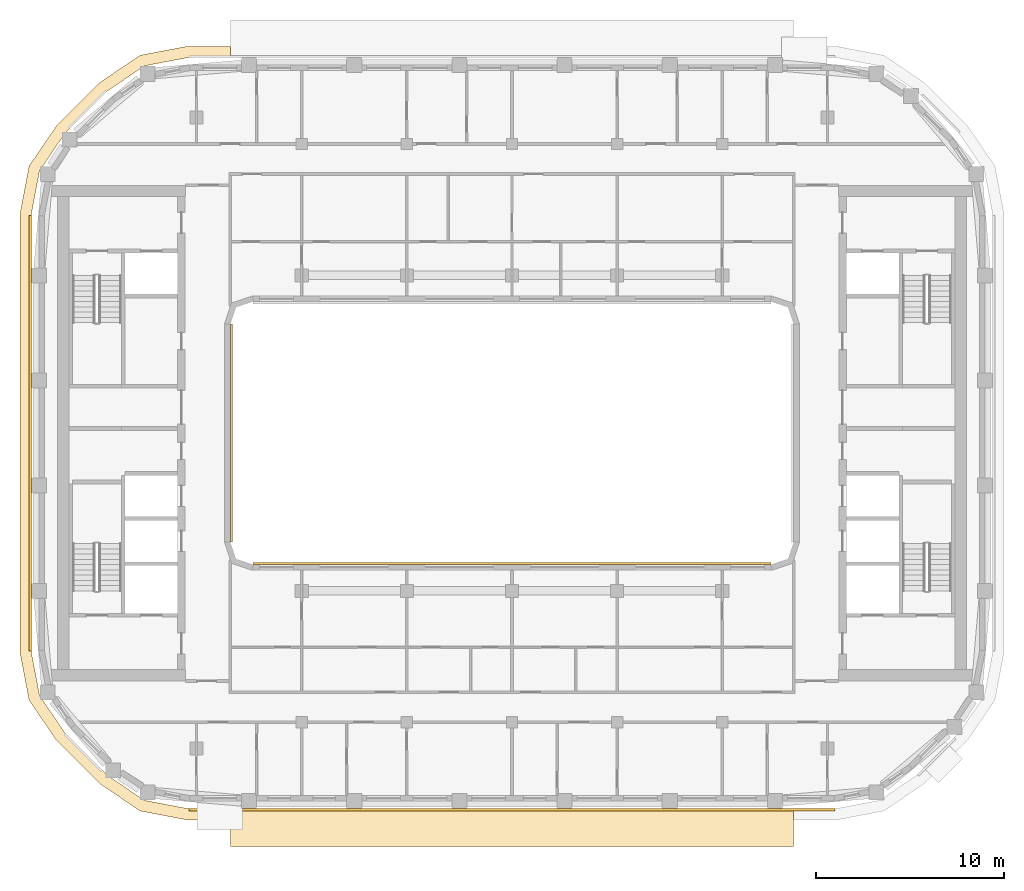
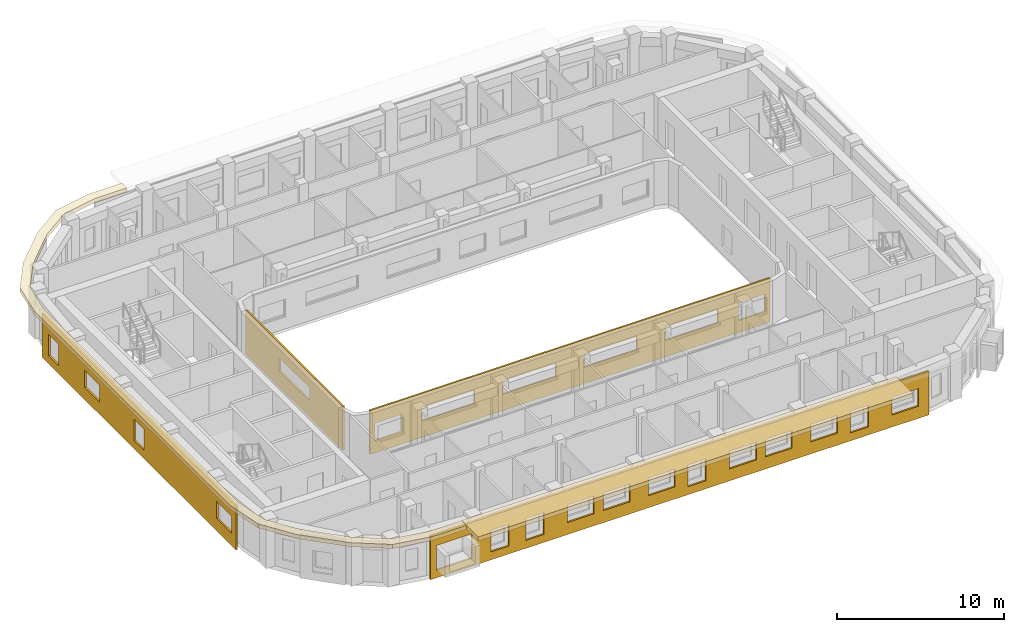
# One storey, part 11 of 16: 6 coverings.
"""IFC4 building model written with IfcOpenShell, lengths in metres."""

from ifc_helpers import new_model, si_unit, direction, frame, origin, place, context, subcontext, project, spatial, polyline, outline, extrude, material, layer, layer_set, type_object, element, save


model = new_model("IFC4")

# Units and contexts
model_context = context("Model", 3, precision=1e-05, world=origin(), true_north=direction((0.0, 1.0)))
body_context = subcontext(model_context, "Body", "Model", "MODEL_VIEW")
ifc_project = project(units=[si_unit("LENGTHUNIT", "METRE"), si_unit("AREAUNIT", "SQUARE_METRE"), si_unit("VOLUMEUNIT", "CUBIC_METRE"), si_unit("PLANEANGLEUNIT", "RADIAN"), si_unit("MASSUNIT", "GRAM", prefix="KILO")], contexts=[model_context])

# Site, building, storey
site_placement = place(None, origin())
site = spatial("IfcSite", under=ifc_project, at=site_placement, CompositionType="ELEMENT")
building_placement = place(site_placement, origin())
building = spatial("IfcBuilding", under=site, at=building_placement, Name="Kiln Ring Residences", CompositionType="ELEMENT")
storey_placement = place(building_placement, frame((0.0, 0.0, 255.699951171875)))
storey = spatial("IfcBuildingStorey", under=building, at=storey_placement, Name="L66", CompositionType="ELEMENT", Elevation=255.699951171875)

# Coverings
ifc_material_1 = material(Name="Brick masonry, dark clay brick", Category="masonry")
ifc_layer_1 = layer(ifc_material_1, 0.1201171875)
ifc_layer_set_1 = layer_set([ifc_layer_1], Name="RAINSCREEN PANEL 120")
covering_type_1 = type_object("IfcCoveringType", Name="RAINSCREEN PANEL 120", PredefinedType="CLADDING", material=ifc_layer_set_1)
covering_1_placement = place(storey_placement, frame((-17.199951171875, -20.06005859375, 0.0), z_axis=(0.0, 0.0, 1.0), x_axis=(1.0, 0.0, 0.0)))
element("IfcCovering", 1, at=covering_1_placement, inside=storey, type_object=covering_type_1, Name="RAINSCREEN L66", PredefinedType="CLADDING", context=body_context, shape_type="SweptSolid", body=[
    extrude(outline(polyline([(0.0, 0.0), (34.39990234375, 0.0), (34.39990234375, 3.199951171875), (0.0, 3.199951171875), (0.0, 0.0)]), holes=[polyline([(4.179931640625, 0.580078125), (5.419921875, 0.580078125), (5.419921875, 2.170166015625), (4.179931640625, 2.170166015625), (4.179931640625, 0.580078125)]), polyline([(6.580078125, 2.170166015625), (6.580078125, 0.580078125), (7.820068359375, 0.580078125), (7.820068359375, 2.170166015625), (6.580078125, 2.170166015625)]), polyline([(0.41748046875, 2.3701171875), (0.41748046875, 0.580078125), (2.857421875, 0.580078125), (2.857421875, 2.3701171875), (0.41748046875, 2.3701171875)]), polyline([(9.4423828125, 0.880126953125), (11.282470703125, 0.880126953125), (11.282470703125, 2.170166015625), (9.4423828125, 2.170166015625), (9.4423828125, 0.880126953125)]), polyline([(11.91748046875, 2.170166015625), (11.91748046875, 0.880126953125), (13.757568359375, 0.880126953125), (13.757568359375, 2.170166015625), (11.91748046875, 2.170166015625)]), polyline([(15.04248046875, 2.170166015625), (15.04248046875, 0.880126953125), (16.882568359375, 0.880126953125), (16.882568359375, 2.170166015625), (15.04248046875, 2.170166015625)]), polyline([(17.780029296875, 0.580078125), (19.02001953125, 0.580078125), (19.02001953125, 2.170166015625), (17.780029296875, 2.170166015625), (17.780029296875, 0.580078125)]), polyline([(28.97998046875, 2.170166015625), (28.97998046875, 0.580078125), (30.219970703125, 0.580078125), (30.219970703125, 2.170166015625), (28.97998046875, 2.170166015625)]), polyline([(20.642578125, 2.170166015625), (20.642578125, 0.880126953125), (22.482421875, 0.880126953125), (22.482421875, 2.170166015625), (20.642578125, 2.170166015625)]), polyline([(23.117431640625, 0.880126953125), (24.95751953125, 0.880126953125), (24.95751953125, 2.170166015625), (23.117431640625, 2.170166015625), (23.117431640625, 0.880126953125)]), polyline([(26.242431640625, 2.170166015625), (26.242431640625, 0.880126953125), (28.08251953125, 0.880126953125), (28.08251953125, 2.170166015625), (26.242431640625, 2.170166015625)]), polyline([(31.842529296875, 2.170166015625), (31.842529296875, 0.880126953125), (33.6826171875, 0.880126953125), (33.6826171875, 2.170166015625), (31.842529296875, 2.170166015625)])]), frame((0.0, 0.06005859375, 0.0), z_axis=(0.0, -1.0, 0.0), x_axis=(1.0, 0.0, 0.0)), (0.0, 0.0, 1.0), 0.1201171875),
])
covering_2_placement = place(storey_placement, frame((-25.659912109375, 11.60009765625, 0.0), z_axis=(0.0, 0.0, 1.0), x_axis=(0.0, -1.0, 0.0)))
element("IfcCovering", 2, at=covering_2_placement, inside=storey, type_object=covering_type_1, Name="RAINSCREEN L66", PredefinedType="CLADDING", context=body_context, shape_type="SweptSolid", body=[
    extrude(outline(polyline([(0.0, 0.0), (23.199951171875, 0.0), (23.199951171875, 3.199951171875), (0.0, 3.199951171875), (0.0, 0.0)]), holes=[polyline([(2.0, 0.60009765625), (2.0, 2.150146484375), (0.800048828125, 2.150146484375), (0.800048828125, 0.60009765625), (2.0, 0.60009765625)]), polyline([(12.199951171875, 0.60009765625), (12.199951171875, 2.150146484375), (11.0, 2.150146484375), (11.0, 0.60009765625), (12.199951171875, 0.60009765625)]), polyline([(6.89990234375, 0.900146484375), (6.89990234375, 2.150146484375), (5.10009765625, 2.150146484375), (5.10009765625, 0.900146484375), (6.89990234375, 0.900146484375)]), polyline([(22.699951171875, 0.900146484375), (22.699951171875, 2.150146484375), (20.89990234375, 2.150146484375), (20.89990234375, 0.900146484375), (22.699951171875, 0.900146484375)])]), frame((0.0, 0.06005859375, 0.0), z_axis=(0.0, -1.0, 0.0), x_axis=(1.0, 0.0, 0.0)), (0.0, 0.0, 1.0), 0.1201171875),
])
covering_3_placement = place(storey_placement, frame((-14.93994140625, -5.800048828125, 0.0), z_axis=(0.0, 0.0, 1.0), x_axis=(0.0, 1.0, 0.0)))
element("IfcCovering", 3, at=covering_3_placement, inside=storey, type_object=covering_type_1, Name="RAINSCREEN L66", PredefinedType="CLADDING", context=body_context, shape_type="SweptSolid", body=[
    extrude(outline(polyline([(0.0, 0.0), (11.60009765625, 0.0), (11.60009765625, 3.199951171875), (0.0, 3.199951171875), (0.0, 0.0)]), holes=[polyline([(4.0, 2.150146484375), (4.0, 1.199951171875), (7.60009765625, 1.199951171875), (7.60009765625, 2.150146484375), (4.0, 2.150146484375)])]), frame((0.0, 0.06005859375, 0.0), z_axis=(0.0, -1.0, 0.0), x_axis=(1.0, 0.0, 0.0)), (0.0, 0.0, 1.0), 0.1201171875),
])
covering_4_placement = place(storey_placement, frame((13.800048828125, -6.93994140625, 0.0), z_axis=(0.0, 0.0, 1.0), x_axis=(-1.0, 0.0, 0.0)))
element("IfcCovering", 4, at=covering_4_placement, inside=storey, type_object=covering_type_1, Name="RAINSCREEN L66", PredefinedType="CLADDING", context=body_context, shape_type="SweptSolid", body=[
    extrude(outline(polyline([(0.0, 0.0), (27.60009765625, 0.0), (27.60009765625, 3.199951171875), (0.0, 3.199951171875), (0.0, 0.0)]), holes=[polyline([(2.1826171875, 0.880126953125), (2.1826171875, 2.170166015625), (0.342529296875, 2.170166015625), (0.342529296875, 0.880126953125), (2.1826171875, 0.880126953125)]), polyline([(25.41748046875, 0.880126953125), (27.257568359375, 0.880126953125), (27.257568359375, 2.170166015625), (25.41748046875, 2.170166015625), (25.41748046875, 0.880126953125)]), polyline([(3.580078125, 1.179931640625), (7.219970703125, 1.179931640625), (7.219970703125, 2.170166015625), (3.580078125, 2.170166015625), (3.580078125, 1.179931640625)]), polyline([(12.820068359375, 1.179931640625), (12.820068359375, 2.170166015625), (9.179931640625, 2.170166015625), (9.179931640625, 1.179931640625), (12.820068359375, 1.179931640625)]), polyline([(14.780029296875, 1.179931640625), (18.419921875, 1.179931640625), (18.419921875, 2.170166015625), (14.780029296875, 2.170166015625), (14.780029296875, 1.179931640625)]), polyline([(20.3798828125, 1.179931640625), (24.02001953125, 1.179931640625), (24.02001953125, 2.170166015625), (20.3798828125, 2.170166015625), (20.3798828125, 1.179931640625)])]), frame((0.0, 0.06005859375, 0.0), z_axis=(0.0, -1.0, 0.0), x_axis=(1.0, 0.0, 0.0)), (0.0, 0.0, 1.0), 0.1201171875),
])
ifc_material_2 = material(Name="Black powder-coated steel", Category="steel")
ifc_layer_2 = layer(ifc_material_2, 0.300048828125)
ifc_layer_set_2 = layer_set([ifc_layer_2], Name="SUNSHADE BAND 2000")
covering_type_2 = type_object("IfcCoveringType", Name="SUNSHADE BAND 2000", PredefinedType="CLADDING", material=ifc_layer_set_2)
placement = place(storey_placement, frame((0.0, 0.0, 3.199951171875)))
element("IfcCovering", 5, at=placement, inside=storey, type_object=covering_type_2, Name="SUNSHADE BAND L66", PredefinedType="CLADDING", context=body_context, shape_type="SweptSolid", body=[
    extrude(outline(polyline([(-15.0, -22.0), (15.0, -22.0), (15.0, -20.0), (-15.0, -20.0), (-15.0, -22.0)])), origin(), (0.0, 0.0, 1.0), 0.300048828125),
])
ifc_material_3 = material(Name="Black powder-coated steel", Category="steel")
ifc_layer_3 = layer(ifc_material_3, 0.300048828125)
ifc_layer_set_3 = layer_set([ifc_layer_3], Name="SUNSHADE FIN 600")
covering_type_3 = type_object("IfcCoveringType", Name="SUNSHADE FIN 600", PredefinedType="CLADDING", material=ifc_layer_set_3)
element("IfcCovering", 6, at=placement, inside=storey, type_object=covering_type_3, Name="SUNSHADE FIN L66", PredefinedType="CLADDING", context=body_context, shape_type="SweptSolid", body=[
    extrude(outline(polyline([(-26.199951171875, -11.694580078125), (-25.71923828125, -14.215087890625), (-24.27685546875, -16.33740234375), (-21.937255859375, -18.677001953125), (-19.815185546875, -20.119140625), (-17.29443359375, -20.60009765625), (-15.0, -20.60009765625), (-15.0, -20.0), (-17.23779296875, -20.0), (-19.58056640625, -19.552978515625), (-21.55322265625, -18.21240234375), (-23.8125, -15.953125), (-25.153076171875, -13.980712890625), (-25.60009765625, -11.6376953125), (-25.60009765625, 11.6376953125), (-25.153076171875, 13.980712890625), (-23.8125, 15.953125), (-21.55322265625, 18.21240234375), (-19.58056640625, 19.552978515625), (-17.23779296875, 20.0), (-15.0, 20.0), (-15.0, 20.60009765625), (-17.29443359375, 20.60009765625), (-19.815185546875, 20.119140625), (-21.937255859375, 18.677001953125), (-24.27685546875, 16.33740234375), (-25.71923828125, 14.215087890625), (-26.199951171875, 11.694580078125), (-26.199951171875, -11.694580078125)])), origin(), (0.0, 0.0, 1.0), 0.300048828125),
])

save(model, "model.ifc")
